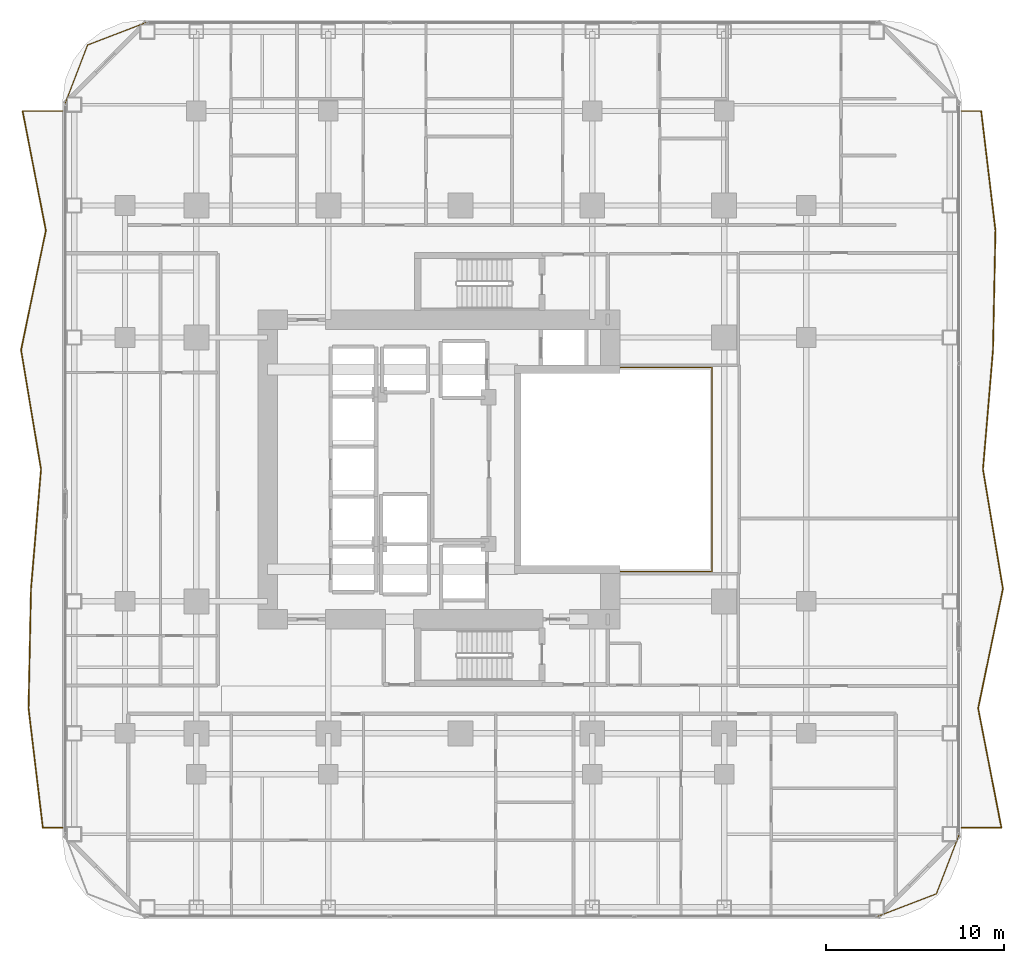
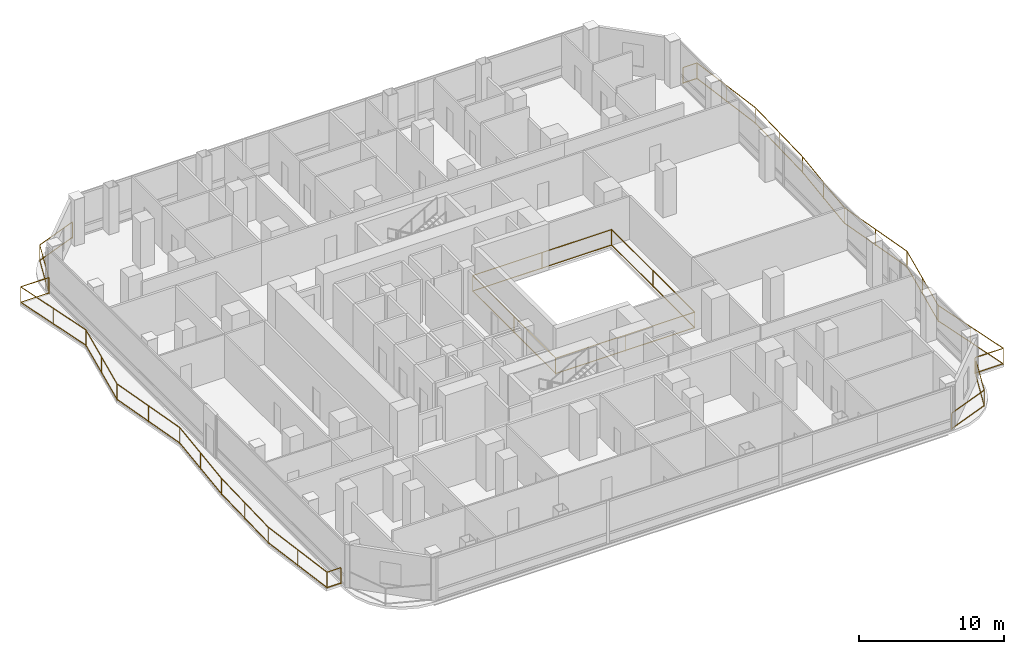
# One storey, part 26 of 27: 5 railings.
"""IFC4 building model written with IfcOpenShell, lengths in metres."""

from ifc_helpers import new_model, si_unit, direction, frame, origin, origin_2d, place, context, subcontext, project, spatial, rectangle, extrude, material, type_object, element, save


model = new_model("IFC4")

# Units and contexts
model_context = context("Model", 3, precision=1e-05, world=origin(), true_north=direction((0.0, 1.0)))
body_context = subcontext(model_context, "Body", "Model", "MODEL_VIEW")
ifc_project = project(units=[si_unit("LENGTHUNIT", "METRE"), si_unit("AREAUNIT", "SQUARE_METRE"), si_unit("VOLUMEUNIT", "CUBIC_METRE"), si_unit("PLANEANGLEUNIT", "RADIAN"), si_unit("MASSUNIT", "GRAM", prefix="KILO")], contexts=[model_context])

# Site, building, storey
site_placement = place(None, origin())
site = spatial("IfcSite", under=ifc_project, at=site_placement, CompositionType="ELEMENT")
building_placement = place(site_placement, origin())
building = spatial("IfcBuilding", under=site, at=building_placement, Name="Khorvyn Point Tower", CompositionType="ELEMENT")
storey_placement = place(building_placement, frame((0.0, 0.0, 50.10009765625)))
storey = spatial("IfcBuildingStorey", under=building, at=storey_placement, Name="L13", CompositionType="ELEMENT", Elevation=50.10009765625)

# Railings
ifc_material_1 = material(Name="Stainless steel 1.4401 and laminated glass", Category="steel")
railing_type_1 = type_object("IfcRailingType", Name="Crystal Atrium Smoke-Rated Perimeter Guardrail 1400", PredefinedType="GUARDRAIL", material=ifc_material_1)
railing_1_placement = place(storey_placement, frame((3.080078125, -5.719970703125, 0.0)))
element("IfcRailing", 1, at=railing_1_placement, inside=storey, type_object=railing_type_1, Name="L13 Crystal Atrium Perimeter Guardrail", PredefinedType="GUARDRAIL", context=body_context, shape_type="SweptSolid", body=[
    extrude(rectangle(XDim=0.048095703125, YDim=0.048095703125, at=origin_2d()), frame((0.0, 0.0, 1.3759765625), z_axis=(1.0, 0.0, 0.0), x_axis=(0.0, 1.0, 0.0)), (0.0, 0.0, 1.0), 11.0400390625),
    extrude(rectangle(XDim=0.048095703125, YDim=0.048095703125, at=origin_2d()), frame((0.0, 0.0, 0.080078125), z_axis=(1.0, 0.0, 0.0), x_axis=(0.0, 1.0, 0.0)), (0.0, 0.0, 1.0), 11.0400390625),
    extrude(rectangle(XDim=0.048095703125, YDim=0.048095703125, at=origin_2d()), frame((11.0400390625, 0.0, 1.3759765625), z_axis=(0.0, 1.0, 0.0), x_axis=(-1.0, 0.0, 0.0)), (0.0, 0.0, 1.0), 11.43994140625),
    extrude(rectangle(XDim=0.048095703125, YDim=0.048095703125, at=origin_2d()), frame((11.0400390625, 0.0, 0.080078125), z_axis=(0.0, 1.0, 0.0), x_axis=(-1.0, 0.0, 0.0)), (0.0, 0.0, 1.0), 11.43994140625),
    extrude(rectangle(XDim=0.048095703125, YDim=0.048095703125, at=origin_2d()), frame((11.0400390625, 11.43994140625, 1.3759765625), z_axis=(-1.0, 0.0, 0.0), x_axis=(0.0, -1.0, 0.0)), (0.0, 0.0, 1.0), 11.0400390625),
    extrude(rectangle(XDim=0.048095703125, YDim=0.048095703125, at=origin_2d()), frame((11.0400390625, 11.43994140625, 0.080078125), z_axis=(-1.0, 0.0, 0.0), x_axis=(0.0, -1.0, 0.0)), (0.0, 0.0, 1.0), 11.0400390625),
    extrude(rectangle(XDim=0.048095703125, YDim=0.048095703125, at=origin_2d()), frame((0.0, 11.43994140625, 1.3759765625), z_axis=(0.0, -1.0, 0.0), x_axis=(1.0, 0.0, 0.0)), (0.0, 0.0, 1.0), 11.409912109375),
    extrude(rectangle(XDim=0.048095703125, YDim=0.048095703125, at=origin_2d()), frame((0.0, 11.43994140625, 0.080078125), z_axis=(0.0, -1.0, 0.0), x_axis=(1.0, 0.0, 0.0)), (0.0, 0.0, 1.0), 11.409912109375),
    extrude(rectangle(XDim=0.0419921875, YDim=0.0419921875, at=origin_2d()), origin(), (0.0, 0.0, 1.0), 1.351806640625),
    extrude(rectangle(XDim=0.0419921875, YDim=0.0419921875, at=origin_2d()), frame((5.52001953125, 0.0, 0.0)), (0.0, 0.0, 1.0), 1.351806640625),
    extrude(rectangle(XDim=0.0419921875, YDim=0.0419921875, at=origin_2d()), frame((11.0400390625, 0.0, 0.0)), (0.0, 0.0, 1.0), 1.351806640625),
    extrude(rectangle(XDim=0.0419921875, YDim=0.0419921875, at=origin_2d()), frame((11.0400390625, 5.719970703125, 0.0)), (0.0, 0.0, 1.0), 1.351806640625),
    extrude(rectangle(XDim=0.0419921875, YDim=0.0419921875, at=origin_2d()), frame((11.0400390625, 11.43994140625, 0.0)), (0.0, 0.0, 1.0), 1.351806640625),
    extrude(rectangle(XDim=0.0419921875, YDim=0.0419921875, at=origin_2d()), frame((5.52001953125, 11.43994140625, 0.0)), (0.0, 0.0, 1.0), 1.351806640625),
    extrude(rectangle(XDim=0.0419921875, YDim=0.0419921875, at=origin_2d()), frame((0.0, 11.43994140625, 0.0)), (0.0, 0.0, 1.0), 1.351806640625),
    extrude(rectangle(XDim=0.0419921875, YDim=0.0419921875, at=origin_2d()), frame((0.0, 5.73486328125, 0.0)), (0.0, 0.0, 1.0), 1.351806640625),
    extrude(rectangle(XDim=0.0419921875, YDim=0.0419921875, at=origin_2d()), frame((0.0, 0.030029296875, 0.0)), (0.0, 0.0, 1.0), 1.351806640625),
])
ifc_material_2 = material(Name="Anodised aluminium 6063-T6 and laminated safety glass", Category="aluminium")
railing_type_2 = type_object("IfcRailingType", Name="Laminated Glass and Aluminium Balcony Guardrail 1400", PredefinedType="BALUSTRADE", material=ifc_material_2)
railing_2_placement = place(storey_placement, frame((-17.57080078125, 25.073974609375, 0.0)))
element("IfcRailing", 2, at=railing_2_placement, inside=storey, type_object=railing_type_2, Name="L13 Rounded Corner Edge Guardrail NW", PredefinedType="BALUSTRADE", context=body_context, shape_type="SweptSolid", body=[
    extrude(rectangle(XDim=0.048095703125, YDim=0.048095703125, at=origin_2d()), frame((0.0, 0.0, 1.3759765625), z_axis=(-0.933583807283, -0.358359142172, 0.0), x_axis=(0.358359142172, -0.933583807283, 0.0)), (0.0, 0.0, 1.0), 3.56298828125),
    extrude(rectangle(XDim=0.048095703125, YDim=0.048095703125, at=origin_2d()), frame((0.0, 0.0, 0.080078125), z_axis=(-0.933583807283, -0.358359142172, 0.0), x_axis=(0.358359142172, -0.933583807283, 0.0)), (0.0, 0.0, 1.0), 3.56298828125),
    extrude(rectangle(XDim=0.048095703125, YDim=0.048095703125, at=origin_2d()), frame((-3.326416015625, -1.27685546875, 1.3759765625), z_axis=(-0.358359142172, -0.933583807283, 0.0), x_axis=(0.933583807283, -0.358359142172, 0.0)), (0.0, 0.0, 1.0), 3.56298828125),
    extrude(rectangle(XDim=0.048095703125, YDim=0.048095703125, at=origin_2d()), frame((-3.326416015625, -1.27685546875, 0.080078125), z_axis=(-0.358359142172, -0.933583807283, 0.0), x_axis=(0.933583807283, -0.358359142172, 0.0)), (0.0, 0.0, 1.0), 3.56298828125),
    extrude(rectangle(XDim=0.0419921875, YDim=0.0419921875, at=origin_2d()), origin(), (0.0, 0.0, 1.0), 1.351806640625),
    extrude(rectangle(XDim=0.0419921875, YDim=0.0419921875, at=origin_2d()), frame((-3.326416015625, -1.27685546875, 0.0)), (0.0, 0.0, 1.0), 1.351806640625),
    extrude(rectangle(XDim=0.0419921875, YDim=0.0419921875, at=origin_2d()), frame((-4.603271484375, -4.603271484375, 0.0)), (0.0, 0.0, 1.0), 1.351806640625),
])
railing_3_placement = place(storey_placement, frame((23.370849609375, -25.073974609375, 0.0)))
element("IfcRailing", 3, at=railing_3_placement, inside=storey, type_object=railing_type_2, Name="L13 Rounded Corner Edge Guardrail SE", PredefinedType="BALUSTRADE", context=body_context, shape_type="SweptSolid", body=[
    extrude(rectangle(XDim=0.048095703125, YDim=0.048095703125, at=origin_2d()), frame((0.0, 0.0, 1.3759765625), z_axis=(0.933575007025, 0.358382067435, 0.0), x_axis=(-0.358382067435, 0.933575007025, 0.0)), (0.0, 0.0, 1.0), 3.562744140625),
    extrude(rectangle(XDim=0.048095703125, YDim=0.048095703125, at=origin_2d()), frame((0.0, 0.0, 0.080078125), z_axis=(0.933575007025, 0.358382067435, 0.0), x_axis=(-0.358382067435, 0.933575007025, 0.0)), (0.0, 0.0, 1.0), 3.562744140625),
    extrude(rectangle(XDim=0.048095703125, YDim=0.048095703125, at=origin_2d()), frame((3.326171875, 1.27685546875, 1.3759765625), z_axis=(0.35841886047, 0.933560882031, 0.0), x_axis=(-0.933560882031, 0.35841886047, 0.0)), (0.0, 0.0, 1.0), 3.563232421875),
    extrude(rectangle(XDim=0.048095703125, YDim=0.048095703125, at=origin_2d()), frame((3.326171875, 1.27685546875, 0.080078125), z_axis=(0.35841886047, 0.933560882031, 0.0), x_axis=(-0.933560882031, 0.35841886047, 0.0)), (0.0, 0.0, 1.0), 3.563232421875),
    extrude(rectangle(XDim=0.0419921875, YDim=0.0419921875, at=origin_2d()), origin(), (0.0, 0.0, 1.0), 1.351806640625),
    extrude(rectangle(XDim=0.0419921875, YDim=0.0419921875, at=origin_2d()), frame((3.326171875, 1.27685546875, 0.0)), (0.0, 0.0, 1.0), 1.351806640625),
    extrude(rectangle(XDim=0.0419921875, YDim=0.0419921875, at=origin_2d()), frame((4.603271484375, 4.603271484375, 0.0)), (0.0, 0.0, 1.0), 1.351806640625),
])
railing_4_placement = place(storey_placement, frame((28.10009765625, -20.10009765625, 0.0)))
element("IfcRailing", 4, at=railing_4_placement, inside=storey, type_object=railing_type_2, Name="L13 East Balcony Guardrail", PredefinedType="BALUSTRADE", context=body_context, shape_type="SweptSolid", body=[
    extrude(rectangle(XDim=0.048095703125, YDim=0.048095703125, at=origin_2d()), frame((0.0, 0.0, 1.3759765625), z_axis=(1.0, 0.0, 0.0), x_axis=(0.0, 1.0, 0.0)), (0.0, 0.0, 1.0), 2.243896484375),
    extrude(rectangle(XDim=0.048095703125, YDim=0.048095703125, at=origin_2d()), frame((0.0, 0.0, 0.080078125), z_axis=(1.0, 0.0, 0.0), x_axis=(0.0, 1.0, 0.0)), (0.0, 0.0, 1.0), 2.243896484375),
    extrude(rectangle(XDim=0.048095703125, YDim=0.048095703125, at=origin_2d()), frame((2.243896484375, 0.0, 1.3759765625), z_axis=(-0.191375067908, 0.98151698069, 0.0), x_axis=(-0.98151698069, -0.191375067908, 0.0)), (0.0, 0.0, 1.0), 6.826416015625),
    extrude(rectangle(XDim=0.048095703125, YDim=0.048095703125, at=origin_2d()), frame((2.243896484375, 0.0, 0.080078125), z_axis=(-0.191375067908, 0.98151698069, 0.0), x_axis=(-0.98151698069, -0.191375067908, 0.0)), (0.0, 0.0, 1.0), 6.826416015625),
    extrude(rectangle(XDim=0.048095703125, YDim=0.048095703125, at=origin_2d()), frame((0.9375, 6.7001953125, 1.3759765625), z_axis=(0.203089310891, 0.979160217636, 0.0), x_axis=(-0.979160217636, 0.203089310891, 0.0)), (0.0, 0.0, 1.0), 6.842529296875),
    extrude(rectangle(XDim=0.048095703125, YDim=0.048095703125, at=origin_2d()), frame((0.9375, 6.7001953125, 0.080078125), z_axis=(0.203089310891, 0.979160217636, 0.0), x_axis=(-0.979160217636, 0.203089310891, 0.0)), (0.0, 0.0, 1.0), 6.842529296875),
    extrude(rectangle(XDim=0.048095703125, YDim=0.048095703125, at=origin_2d()), frame((2.3271484375, 13.400146484375, 1.3759765625), z_axis=(-0.164684570702, 0.986346284107, 0.0), x_axis=(-0.986346284107, -0.164684570702, 0.0)), (0.0, 0.0, 1.0), 6.792724609375),
    extrude(rectangle(XDim=0.048095703125, YDim=0.048095703125, at=origin_2d()), frame((2.3271484375, 13.400146484375, 0.080078125), z_axis=(-0.164684570702, 0.986346284107, 0.0), x_axis=(-0.986346284107, -0.164684570702, 0.0)), (0.0, 0.0, 1.0), 6.792724609375),
    extrude(rectangle(XDim=0.048095703125, YDim=0.048095703125, at=origin_2d()), frame((1.20849609375, 20.10009765625, 1.3759765625), z_axis=(0.083625448537, 0.996497257576, 0.0), x_axis=(-0.996497257576, 0.083625448537, 0.0)), (0.0, 0.0, 1.0), 6.723388671875),
    extrude(rectangle(XDim=0.048095703125, YDim=0.048095703125, at=origin_2d()), frame((1.20849609375, 20.10009765625, 0.080078125), z_axis=(0.083625448537, 0.996497257576, 0.0), x_axis=(-0.996497257576, 0.083625448537, 0.0)), (0.0, 0.0, 1.0), 6.723388671875),
    extrude(rectangle(XDim=0.048095703125, YDim=0.048095703125, at=origin_2d()), frame((1.770751953125, 26.800048828125, 1.3759765625), z_axis=(0.02051093397, 0.999789628666, 0.0), x_axis=(-0.999789628666, 0.02051093397, 0.0)), (0.0, 0.0, 1.0), 6.701416015625),
    extrude(rectangle(XDim=0.048095703125, YDim=0.048095703125, at=origin_2d()), frame((1.770751953125, 26.800048828125, 0.080078125), z_axis=(0.02051093397, 0.999789628666, 0.0), x_axis=(-0.999789628666, 0.02051093397, 0.0)), (0.0, 0.0, 1.0), 6.701416015625),
    extrude(rectangle(XDim=0.048095703125, YDim=0.048095703125, at=origin_2d()), frame((1.908203125, 33.5, 1.3759765625), z_axis=(-0.118849901001, 0.99291223229, 0.0), x_axis=(-0.99291223229, -0.118849901001, 0.0)), (0.0, 0.0, 1.0), 6.748046875),
    extrude(rectangle(XDim=0.048095703125, YDim=0.048095703125, at=origin_2d()), frame((1.908203125, 33.5, 0.080078125), z_axis=(-0.118849901001, 0.99291223229, 0.0), x_axis=(-0.99291223229, -0.118849901001, 0.0)), (0.0, 0.0, 1.0), 6.748046875),
    extrude(rectangle(XDim=0.048095703125, YDim=0.048095703125, at=origin_2d()), frame((1.106201171875, 40.2001953125, 1.3759765625), z_axis=(-1.0, 0.0, 0.0), x_axis=(0.0, -1.0, 0.0)), (0.0, 0.0, 1.0), 1.106201171875),
    extrude(rectangle(XDim=0.048095703125, YDim=0.048095703125, at=origin_2d()), frame((1.106201171875, 40.2001953125, 0.080078125), z_axis=(-1.0, 0.0, 0.0), x_axis=(0.0, -1.0, 0.0)), (0.0, 0.0, 1.0), 1.106201171875),
    extrude(rectangle(XDim=0.0419921875, YDim=0.0419921875, at=origin_2d()), origin(), (0.0, 0.0, 1.0), 1.351806640625),
    extrude(rectangle(XDim=0.0419921875, YDim=0.0419921875, at=origin_2d()), frame((2.243896484375, 0.0, 0.0)), (0.0, 0.0, 1.0), 1.351806640625),
    extrude(rectangle(XDim=0.0419921875, YDim=0.0419921875, at=origin_2d()), frame((1.5908203125, 3.35009765625, 0.0)), (0.0, 0.0, 1.0), 1.351806640625),
    extrude(rectangle(XDim=0.0419921875, YDim=0.0419921875, at=origin_2d()), frame((0.9375, 6.7001953125, 0.0)), (0.0, 0.0, 1.0), 1.351806640625),
    extrude(rectangle(XDim=0.0419921875, YDim=0.0419921875, at=origin_2d()), frame((1.63232421875, 10.05029296875, 0.0)), (0.0, 0.0, 1.0), 1.351806640625),
    extrude(rectangle(XDim=0.0419921875, YDim=0.0419921875, at=origin_2d()), frame((2.3271484375, 13.400146484375, 0.0)), (0.0, 0.0, 1.0), 1.351806640625),
    extrude(rectangle(XDim=0.0419921875, YDim=0.0419921875, at=origin_2d()), frame((1.767822265625, 16.75, 0.0)), (0.0, 0.0, 1.0), 1.351806640625),
    extrude(rectangle(XDim=0.0419921875, YDim=0.0419921875, at=origin_2d()), frame((1.20849609375, 20.10009765625, 0.0)), (0.0, 0.0, 1.0), 1.351806640625),
    extrude(rectangle(XDim=0.0419921875, YDim=0.0419921875, at=origin_2d()), frame((1.48974609375, 23.4501953125, 0.0)), (0.0, 0.0, 1.0), 1.351806640625),
    extrude(rectangle(XDim=0.0419921875, YDim=0.0419921875, at=origin_2d()), frame((1.770751953125, 26.800048828125, 0.0)), (0.0, 0.0, 1.0), 1.351806640625),
    extrude(rectangle(XDim=0.0419921875, YDim=0.0419921875, at=origin_2d()), frame((1.83935546875, 30.14990234375, 0.0)), (0.0, 0.0, 1.0), 1.351806640625),
    extrude(rectangle(XDim=0.0419921875, YDim=0.0419921875, at=origin_2d()), frame((1.908203125, 33.5, 0.0)), (0.0, 0.0, 1.0), 1.351806640625),
    extrude(rectangle(XDim=0.0419921875, YDim=0.0419921875, at=origin_2d()), frame((1.50732421875, 36.85009765625, 0.0)), (0.0, 0.0, 1.0), 1.351806640625),
    extrude(rectangle(XDim=0.0419921875, YDim=0.0419921875, at=origin_2d()), frame((1.106201171875, 40.2001953125, 0.0)), (0.0, 0.0, 1.0), 1.351806640625),
    extrude(rectangle(XDim=0.0419921875, YDim=0.0419921875, at=origin_2d()), frame((0.0, 40.2001953125, 0.0)), (0.0, 0.0, 1.0), 1.351806640625),
])
railing_5_placement = place(storey_placement, frame((-22.300048828125, 20.10009765625, 0.0)))
element("IfcRailing", 5, at=railing_5_placement, inside=storey, type_object=railing_type_2, Name="L13 West Balcony Guardrail", PredefinedType="BALUSTRADE", context=body_context, shape_type="SweptSolid", body=[
    extrude(rectangle(XDim=0.048095703125, YDim=0.048095703125, at=origin_2d()), frame((0.0, 0.0, 1.3759765625), z_axis=(-1.0, 0.0, 0.0), x_axis=(0.0, -1.0, 0.0)), (0.0, 0.0, 1.0), 2.243896484375),
    extrude(rectangle(XDim=0.048095703125, YDim=0.048095703125, at=origin_2d()), frame((0.0, 0.0, 0.080078125), z_axis=(-1.0, 0.0, 0.0), x_axis=(0.0, -1.0, 0.0)), (0.0, 0.0, 1.0), 2.243896484375),
    extrude(rectangle(XDim=0.048095703125, YDim=0.048095703125, at=origin_2d()), frame((-2.243896484375, 0.0, 1.3759765625), z_axis=(0.191375067908, -0.98151698069, 0.0), x_axis=(0.98151698069, 0.191375067908, 0.0)), (0.0, 0.0, 1.0), 6.826416015625),
    extrude(rectangle(XDim=0.048095703125, YDim=0.048095703125, at=origin_2d()), frame((-2.243896484375, 0.0, 0.080078125), z_axis=(0.191375067908, -0.98151698069, 0.0), x_axis=(0.98151698069, 0.191375067908, 0.0)), (0.0, 0.0, 1.0), 6.826416015625),
    extrude(rectangle(XDim=0.048095703125, YDim=0.048095703125, at=origin_2d()), frame((-0.9375, -6.7001953125, 1.3759765625), z_axis=(-0.203089310891, -0.979160217636, 0.0), x_axis=(0.979160217636, -0.203089310891, 0.0)), (0.0, 0.0, 1.0), 6.842529296875),
    extrude(rectangle(XDim=0.048095703125, YDim=0.048095703125, at=origin_2d()), frame((-0.9375, -6.7001953125, 0.080078125), z_axis=(-0.203089310891, -0.979160217636, 0.0), x_axis=(0.979160217636, -0.203089310891, 0.0)), (0.0, 0.0, 1.0), 6.842529296875),
    extrude(rectangle(XDim=0.048095703125, YDim=0.048095703125, at=origin_2d()), frame((-2.3271484375, -13.400146484375, 1.3759765625), z_axis=(0.16464960353, -0.986352121738, 0.0), x_axis=(0.986352121738, 0.16464960353, 0.0)), (0.0, 0.0, 1.0), 6.792724609375),
    extrude(rectangle(XDim=0.048095703125, YDim=0.048095703125, at=origin_2d()), frame((-2.3271484375, -13.400146484375, 0.080078125), z_axis=(0.16464960353, -0.986352121738, 0.0), x_axis=(0.986352121738, 0.16464960353, 0.0)), (0.0, 0.0, 1.0), 6.792724609375),
    extrude(rectangle(XDim=0.048095703125, YDim=0.048095703125, at=origin_2d()), frame((-1.208740234375, -20.10009765625, 1.3759765625), z_axis=(-0.083589390779, -0.996500282865, 0.0), x_axis=(0.996500282865, -0.083589390779, 0.0)), (0.0, 0.0, 1.0), 6.723388671875),
    extrude(rectangle(XDim=0.048095703125, YDim=0.048095703125, at=origin_2d()), frame((-1.208740234375, -20.10009765625, 0.080078125), z_axis=(-0.083589390779, -0.996500282865, 0.0), x_axis=(0.996500282865, -0.083589390779, 0.0)), (0.0, 0.0, 1.0), 6.723388671875),
    extrude(rectangle(XDim=0.048095703125, YDim=0.048095703125, at=origin_2d()), frame((-1.770751953125, -26.800048828125, 1.3759765625), z_axis=(-0.020547350102, -0.999788880916, 0.0), x_axis=(0.999788880916, -0.020547350102, 0.0)), (0.0, 0.0, 1.0), 6.701416015625),
    extrude(rectangle(XDim=0.048095703125, YDim=0.048095703125, at=origin_2d()), frame((-1.770751953125, -26.800048828125, 0.080078125), z_axis=(-0.020547350102, -0.999788880916, 0.0), x_axis=(0.999788880916, -0.020547350102, 0.0)), (0.0, 0.0, 1.0), 6.701416015625),
    extrude(rectangle(XDim=0.048095703125, YDim=0.048095703125, at=origin_2d()), frame((-1.908447265625, -33.5, 1.3759765625), z_axis=(0.118885569298, -0.992907962206, 0.0), x_axis=(0.992907962206, 0.118885569298, 0.0)), (0.0, 0.0, 1.0), 6.748046875),
    extrude(rectangle(XDim=0.048095703125, YDim=0.048095703125, at=origin_2d()), frame((-1.908447265625, -33.5, 0.080078125), z_axis=(0.118885569298, -0.992907962206, 0.0), x_axis=(0.992907962206, 0.118885569298, 0.0)), (0.0, 0.0, 1.0), 6.748046875),
    extrude(rectangle(XDim=0.048095703125, YDim=0.048095703125, at=origin_2d()), frame((-1.106201171875, -40.2001953125, 1.3759765625), z_axis=(1.0, 0.0, 0.0), x_axis=(0.0, 1.0, 0.0)), (0.0, 0.0, 1.0), 1.106201171875),
    extrude(rectangle(XDim=0.048095703125, YDim=0.048095703125, at=origin_2d()), frame((-1.106201171875, -40.2001953125, 0.080078125), z_axis=(1.0, 0.0, 0.0), x_axis=(0.0, 1.0, 0.0)), (0.0, 0.0, 1.0), 1.106201171875),
    extrude(rectangle(XDim=0.0419921875, YDim=0.0419921875, at=origin_2d()), origin(), (0.0, 0.0, 1.0), 1.351806640625),
    extrude(rectangle(XDim=0.0419921875, YDim=0.0419921875, at=origin_2d()), frame((-2.243896484375, 0.0, 0.0)), (0.0, 0.0, 1.0), 1.351806640625),
    extrude(rectangle(XDim=0.0419921875, YDim=0.0419921875, at=origin_2d()), frame((-1.5908203125, -3.35009765625, 0.0)), (0.0, 0.0, 1.0), 1.351806640625),
    extrude(rectangle(XDim=0.0419921875, YDim=0.0419921875, at=origin_2d()), frame((-0.9375, -6.7001953125, 0.0)), (0.0, 0.0, 1.0), 1.351806640625),
    extrude(rectangle(XDim=0.0419921875, YDim=0.0419921875, at=origin_2d()), frame((-1.63232421875, -10.05029296875, 0.0)), (0.0, 0.0, 1.0), 1.351806640625),
    extrude(rectangle(XDim=0.0419921875, YDim=0.0419921875, at=origin_2d()), frame((-2.3271484375, -13.400146484375, 0.0)), (0.0, 0.0, 1.0), 1.351806640625),
    extrude(rectangle(XDim=0.0419921875, YDim=0.0419921875, at=origin_2d()), frame((-1.76806640625, -16.75, 0.0)), (0.0, 0.0, 1.0), 1.351806640625),
    extrude(rectangle(XDim=0.0419921875, YDim=0.0419921875, at=origin_2d()), frame((-1.208740234375, -20.10009765625, 0.0)), (0.0, 0.0, 1.0), 1.351806640625),
    extrude(rectangle(XDim=0.0419921875, YDim=0.0419921875, at=origin_2d()), frame((-1.48974609375, -23.4501953125, 0.0)), (0.0, 0.0, 1.0), 1.351806640625),
    extrude(rectangle(XDim=0.0419921875, YDim=0.0419921875, at=origin_2d()), frame((-1.770751953125, -26.800048828125, 0.0)), (0.0, 0.0, 1.0), 1.351806640625),
    extrude(rectangle(XDim=0.0419921875, YDim=0.0419921875, at=origin_2d()), frame((-1.839599609375, -30.14990234375, 0.0)), (0.0, 0.0, 1.0), 1.351806640625),
    extrude(rectangle(XDim=0.0419921875, YDim=0.0419921875, at=origin_2d()), frame((-1.908447265625, -33.5, 0.0)), (0.0, 0.0, 1.0), 1.351806640625),
    extrude(rectangle(XDim=0.0419921875, YDim=0.0419921875, at=origin_2d()), frame((-1.50732421875, -36.85009765625, 0.0)), (0.0, 0.0, 1.0), 1.351806640625),
    extrude(rectangle(XDim=0.0419921875, YDim=0.0419921875, at=origin_2d()), frame((-1.106201171875, -40.2001953125, 0.0)), (0.0, 0.0, 1.0), 1.351806640625),
    extrude(rectangle(XDim=0.0419921875, YDim=0.0419921875, at=origin_2d()), frame((0.0, -40.2001953125, 0.0)), (0.0, 0.0, 1.0), 1.351806640625),
])

save(model, "model.ifc")
